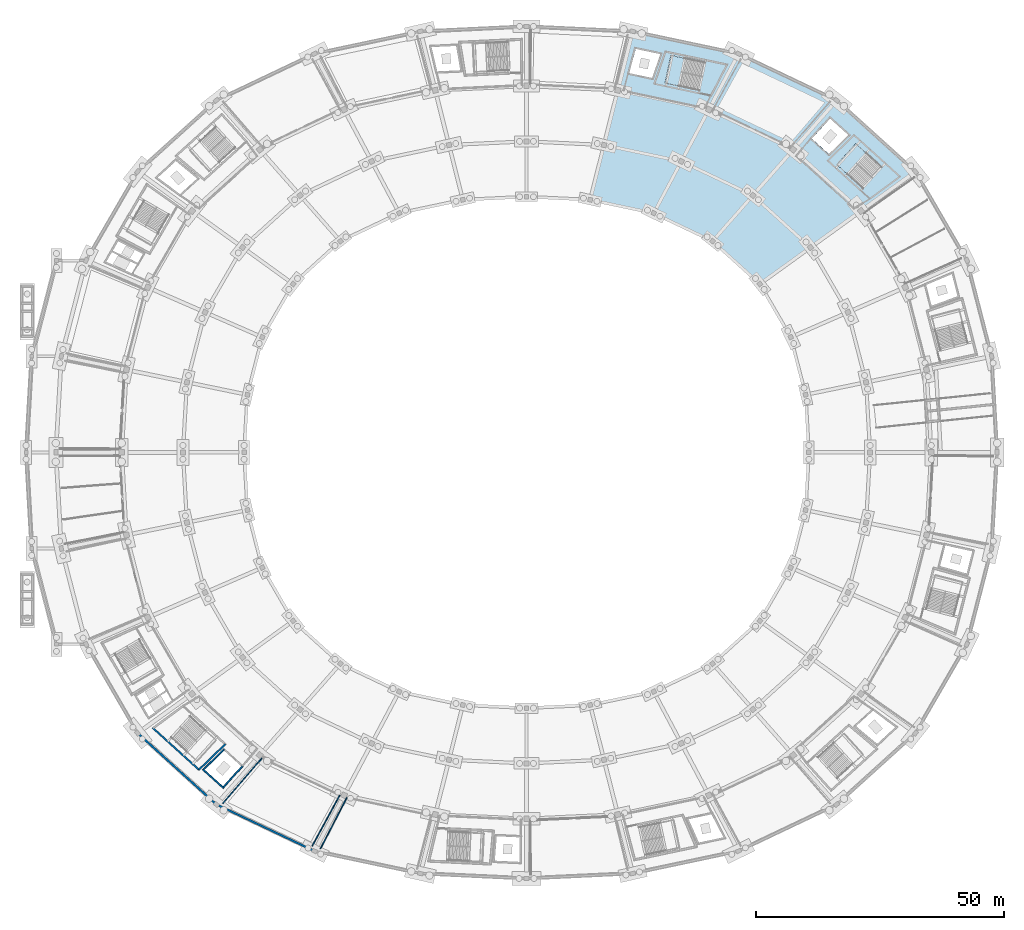
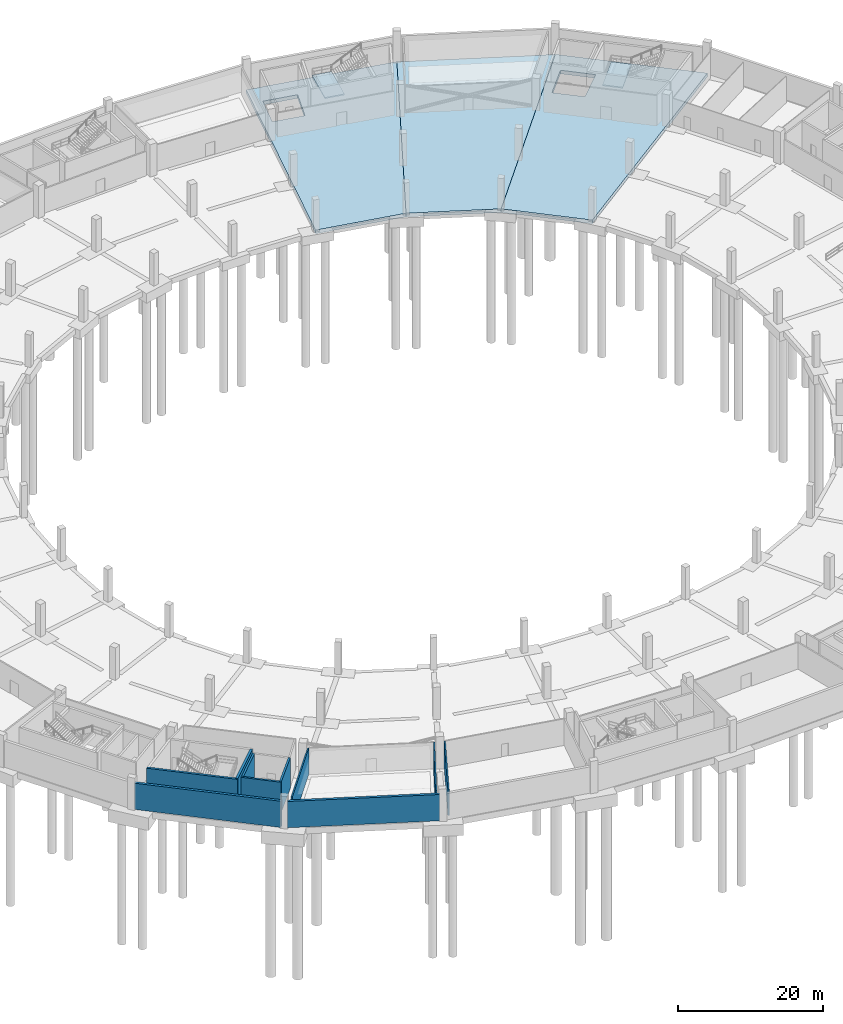
# One storey, part 9 of 49: 10 walls, 5 slabs, 2 elements without a shape of their own.
"""IFC4 building model written with IfcOpenShell, lengths in metres."""

from ifc_helpers import new_model, si_unit, direction, frame, frame_2d, origin, place, context, subcontext, project, spatial, polyline, rectangle, outline, extrude, material, layer, layer_set, type_object, element, aggregate, save


model = new_model("IFC4")

# Units and contexts
model_context = context("Model", 3, precision=1e-05, world=origin(), true_north=direction((0.0, 1.0)))
body_context = subcontext(model_context, "Body", "Model", "MODEL_VIEW")
ifc_project = project(units=[si_unit("LENGTHUNIT", "METRE"), si_unit("AREAUNIT", "SQUARE_METRE"), si_unit("VOLUMEUNIT", "CUBIC_METRE"), si_unit("PLANEANGLEUNIT", "RADIAN"), si_unit("MASSUNIT", "GRAM", prefix="KILO")], contexts=[model_context])

# Site, building, storey
site_placement = place(None, origin())
site = spatial("IfcSite", under=ifc_project, at=site_placement, CompositionType="ELEMENT")
building_placement = place(site_placement, origin())
building = spatial("IfcBuilding", under=site, at=building_placement, Name="Kazemori Nagisa Stadium", CompositionType="ELEMENT")
storey_placement = place(building_placement, frame((0.0, 0.0, -5.43994140625)))
storey = spatial("IfcBuildingStorey", under=building, at=storey_placement, Name="B1", CompositionType="ELEMENT", Elevation=-5.43994140625)

# Slabs
ifc_material_1 = material(Name="Concrete C36/45 (Fc36)", Category="concrete")
ifc_layer_1 = layer(ifc_material_1, 0.60009765625, Name="Concrete C36/45 (Fc36)", Category="concrete")
ifc_layer_set_1 = layer_set([ifc_layer_1], Name="Concrete C36/45 (Fc36)")
slab_type_1 = type_object("IfcSlabType", Name="Slab_SL-BASE-600", PredefinedType="BASESLAB", material=ifc_layer_set_1)
slab_1_placement = place(storey_placement, frame((0.0, 0.0, -0.60009765625)))
element("IfcSlab", 1, at=slab_1_placement, inside=storey, type_object=slab_type_1, Name="Basement base slab B1 bay 04", PredefinedType="BASESLAB", context=body_context, shape_type="SweptSolid", body=[
    extrude(outline(polyline([(170.09716796875, 136.00048828125), (160.558837890625, 144.635498046875), (185.597900390625, 173.05908203125), (201.495361328125, 158.667724609375), (170.09716796875, 136.00048828125)]), holes=[polyline([(184.043701171875, 162.204345703125), (180.594482421875, 165.32666015625), (184.289794921875, 169.3896484375), (187.960205078125, 166.06689453125), (184.043701171875, 162.204345703125)])]), origin(), (0.0, 0.0, 1.0), 0.60009765625),
])
slab_2_placement = place(storey_placement, frame((0.0, 0.0, -0.60009765625)))
element("IfcSlab", 2, at=slab_2_placement, inside=storey, type_object=slab_type_1, Name="Basement base slab B1 bay 05", PredefinedType="BASESLAB", context=body_context, shape_type="SweptSolid", body=[
    extrude(outline(polyline([(160.558837890625, 144.635498046875), (148.682861328125, 150.278564453125), (165.8046875, 182.46435546875), (185.597900390625, 173.05908203125), (160.558837890625, 144.635498046875)])), origin(), (0.0, 0.0, 1.0), 0.60009765625),
])
slab_3_placement = place(storey_placement, frame((0.0, 0.0, -0.60009765625)))
element("IfcSlab", 3, at=slab_3_placement, inside=storey, type_object=slab_type_1, Name="Basement base slab B1 bay 06", PredefinedType="BASESLAB", context=body_context, shape_type="SweptSolid", body=[
    extrude(outline(polyline([(148.682861328125, 150.278564453125), (135.856689453125, 152.9921875), (144.427734375, 186.98681640625), (165.8046875, 182.46435546875), (148.682861328125, 150.278564453125)]), holes=[polyline([(148.361328125, 177.560791015625), (143.723388671875, 178.5419921875), (145.052978515625, 183.452880859375), (149.988525390625, 182.40869140625), (148.361328125, 177.560791015625)])]), origin(), (0.0, 0.0, 1.0), 0.60009765625),
])

# Stair, slab
stair_type = type_object("IfcStairType", Name="Stair_CORE_32", PredefinedType="TWO_STRAIGHT_RUN_STAIR", material=ifc_material_1)
stair_1_placement = place(storey_placement, origin())
stair_1 = element("IfcStair", 4, at=stair_1_placement, inside=storey, type_object=stair_type, Name="Exit stair ST01 B1", PredefinedType="TWO_STRAIGHT_RUN_STAIR")
ifc_layer_2 = layer(ifc_material_1, 0.199951171875, Name="Concrete C36/45 (Fc36)", Category="concrete")
ifc_layer_set_2 = layer_set([ifc_layer_2], Name="Concrete C36/45 (Fc36)")
slab_type_2 = type_object("IfcSlabType", Name="Slab_SL-LND-200", PredefinedType="LANDING", material=ifc_layer_set_2)
slab_4_placement = place(storey_placement, frame((0.0, 0.0, 2.52001953125)))
slab_4 = element("IfcSlab", 5, at=slab_4_placement, type_object=slab_type_2, Name="Exit stair ST01 B1 mid-landing", PredefinedType="LANDING", context=body_context, shape_type="SweptSolid", body=[
    extrude(outline(polyline([(187.729248046875, 158.18310546875), (185.616455078125, 160.095947265625), (189.44189453125, 164.321533203125), (191.5546875, 162.408935546875), (187.729248046875, 158.18310546875)])), origin(), (0.0, 0.0, 1.0), 0.199951171875),
])
aggregate(stair_1, [slab_4])

stair_2_placement = place(storey_placement, origin())
stair_2 = element("IfcStair", 6, at=stair_2_placement, inside=storey, type_object=stair_type, Name="Exit stair ST11 B1", PredefinedType="TWO_STRAIGHT_RUN_STAIR")
slab_5_placement = place(storey_placement, frame((0.0, 0.0, 2.52001953125)))
slab_5 = element("IfcSlab", 7, at=slab_5_placement, type_object=slab_type_2, Name="Exit stair ST11 B1 mid-landing", PredefinedType="LANDING", context=body_context, shape_type="SweptSolid", body=[
    extrude(outline(polyline([(153.725830078125, 175.965087890625), (150.9375, 176.554931640625), (152.1171875, 182.131591796875), (154.905517578125, 181.541748046875), (153.725830078125, 175.965087890625)])), origin(), (0.0, 0.0, 1.0), 0.199951171875),
])
aggregate(stair_2, [slab_5])

# Walls
ifc_material_2 = material(Name="Concrete C40/50 (Fc42)", Category="concrete")
ifc_layer_3 = layer(ifc_material_2, 0.39990234375, Name="Concrete C40/50 (Fc42)", Category="concrete")
ifc_layer_set_3 = layer_set([ifc_layer_3], Name="Concrete C40/50 (Fc42)")
wall_type_1 = type_object("IfcWallType", Name="Wall_W-B1-RET-400", PredefinedType="SOLIDWALL", material=ifc_layer_set_3)
wall_1_placement = place(storey_placement, frame((44.793701171875, 45.070556640625, 0.0), z_axis=(0.0, 0.0, 1.0), x_axis=(0.741354093053, -0.671114080253, 0.0)))
element("IfcWall", 8, at=wall_1_placement, inside=storey, type_object=wall_type_1, Name="Basement perimeter retaining wall B1-18", PredefinedType="SOLIDWALL", context=body_context, shape_type="SweptSolid", body=[
    extrude(rectangle(XDim=20.66357421875, YDim=0.39990234375, at=frame_2d((10.331787109375, 0.0))), origin(), (0.0, 0.0, 1.0), 4.419921875),
])
wall_2_placement = place(storey_placement, frame((60.75439453125, 30.773681640625, 0.0), z_axis=(0.0, 0.0, 1.0), x_axis=(0.903214032263, -0.429190414528, 0.0)))
element("IfcWall", 9, at=wall_2_placement, inside=storey, type_object=wall_type_1, Name="Basement perimeter retaining wall B1-19", PredefinedType="SOLIDWALL", context=body_context, shape_type="SweptSolid", body=[
    extrude(rectangle(XDim=21.134033203125, YDim=0.39990234375, at=frame_2d((10.56689453125, 0.0))), origin(), (0.0, 0.0, 1.0), 4.419921875),
])
ifc_layer_4 = layer(ifc_material_2, 0.35009765625, Name="Concrete C40/50 (Fc42)", Category="concrete")
ifc_layer_set_4 = layer_set([ifc_layer_4], Name="Concrete C40/50 (Fc42)")
wall_type_2 = type_object("IfcWallType", Name="Wall_W-CORE-350", PredefinedType="SHEAR", material=ifc_layer_set_4)
wall_3_placement = place(storey_placement, frame((47.500732421875, 46.451904296875, 0.0), z_axis=(0.0, 0.0, 1.0), x_axis=(0.741351373721, -0.671117084183, 0.0)))
element("IfcWall", 10, at=wall_3_placement, inside=storey, type_object=wall_type_2, Name="Core stair rear shear wall ST03 B1", PredefinedType="SHEAR", context=body_context, shape_type="SweptSolid", body=[
    extrude(rectangle(XDim=12.830322265625, YDim=0.35009765625, at=frame_2d((6.4150390625, 0.0))), origin(), (0.0, 0.0, 1.0), 5.139892578125),
])
wall_4_placement = place(storey_placement, frame((62.199462890625, 43.1083984375, 0.0), z_axis=(0.0, 0.0, 1.0), x_axis=(-0.718297398554, -0.69573619083, 0.0)))
element("IfcWall", 11, at=wall_4_placement, inside=storey, type_object=wall_type_2, Name="Core stair right shear wall ST03 B1", PredefinedType="SHEAR", context=body_context, shape_type="SweptSolid", body=[
    extrude(rectangle(XDim=7.40185546875, YDim=0.35009765625, at=frame_2d((3.700927734375, 0.0))), origin(), (0.0, 0.0, 1.0), 5.139892578125),
])
ifc_material_3 = material(Name="Autoclaved aerated concrete blockwork", Category="masonry")
ifc_layer_5 = layer(ifc_material_3, 0.199951171875, Name="Autoclaved aerated concrete blockwork", Category="masonry")
ifc_layer_set_5 = layer_set([ifc_layer_5], Name="Autoclaved aerated concrete blockwork")
wall_type_3 = type_object("IfcWallType", Name="Wall_W-PART-200", PredefinedType="PARTITIONING", material=ifc_layer_set_5)
wall_5_placement = place(storey_placement, frame((69.599365234375, 40.280029296875, 0.0), z_axis=(0.0, 0.0, 1.0), x_axis=(-0.654293035882, -0.756241114458, 0.0)))
element("IfcWall", 12, at=wall_5_placement, inside=storey, type_object=wall_type_3, Name="Room radial partition B1-B19-L", PredefinedType="PARTITIONING", context=body_context, shape_type="SweptSolid", body=[
    extrude(rectangle(XDim=12.091064453125, YDim=0.199951171875, at=frame_2d((6.04541015625, 0.0))), origin(), (0.0, 0.0, 1.0), 4.4599609375),
])
wall_6_placement = place(storey_placement, frame((85.332763671875, 32.803955078125, 0.0), z_axis=(0.0, 0.0, 1.0), x_axis=(-0.478125060974, -0.878291765912, 0.0)))
element("IfcWall", 13, at=wall_6_placement, inside=storey, type_object=wall_type_3, Name="Room radial partition B1-B19-R", PredefinedType="PARTITIONING", context=body_context, shape_type="SweptSolid", body=[
    extrude(rectangle(XDim=11.671875, YDim=0.199951171875, at=frame_2d((5.8359375, 0.0))), origin(), (0.0, 0.0, 1.0), 4.4599609375),
])
wall_7_placement = place(storey_placement, frame((86.755615234375, 32.322509765625, 0.0), z_axis=(0.0, 0.0, 1.0), x_axis=(-0.46148287956, -0.88714911479, 0.0)))
element("IfcWall", 14, at=wall_7_placement, inside=storey, type_object=wall_type_3, Name="Room radial partition B1-B20-L", PredefinedType="PARTITIONING", context=body_context, shape_type="SweptSolid", body=[
    extrude(rectangle(XDim=11.635498046875, YDim=0.199951171875, at=frame_2d((5.81787109375, 0.0))), origin(), (0.0, 0.0, 1.0), 4.4599609375),
])
ifc_layer_6 = layer(ifc_material_2, 0.300048828125, Name="Concrete C40/50 (Fc42)", Category="concrete")
ifc_layer_set_6 = layer_set([ifc_layer_6], Name="Concrete C40/50 (Fc42)")
wall_type_4 = type_object("IfcWallType", Name="Wall_W-SHAFT-300", PredefinedType="SHEAR", material=ifc_layer_set_6)
wall_8_placement = place(storey_placement, frame((57.640380859375, 38.039306640625, 0.0), z_axis=(0.0, 0.0, 1.0), x_axis=(0.74134208775, -0.671127341815, 0.0)))
element("IfcWall", 15, at=wall_8_placement, inside=storey, type_object=wall_type_4, Name="Lift shaft B wall FL3 B1", PredefinedType="SHEAR", context=body_context, shape_type="SweptSolid", body=[
    extrude(rectangle(XDim=5.674560546875, YDim=0.300048828125, at=frame_2d((2.83740234375, 0.0))), origin(), (0.0, 0.0, 1.0), 5.139892578125),
])
wall_9_placement = place(storey_placement, frame((61.947998046875, 42.058837890625, 0.0), z_axis=(0.0, 0.0, 1.0), x_axis=(-0.713553028001, -0.700601224828, 0.0)))
element("IfcWall", 16, at=wall_9_placement, inside=storey, type_object=wall_type_4, Name="Lift shaft L wall FL3 B1", PredefinedType="SHEAR", context=body_context, shape_type="SweptSolid", body=[
    extrude(rectangle(XDim=5.881103515625, YDim=0.300048828125, at=frame_2d((2.9404296875, 0.0))), origin(), (0.0, 0.0, 1.0), 5.139892578125),
])
wall_10_placement = place(storey_placement, frame((65.67626953125, 38.68359375, 0.0), z_axis=(0.0, 0.0, 1.0), x_axis=(-0.67115829282, -0.741314067031, 0.0)))
element("IfcWall", 17, at=wall_10_placement, inside=storey, type_object=wall_type_4, Name="Lift shaft R wall FL3 B1", PredefinedType="SHEAR", context=body_context, shape_type="SweptSolid", body=[
    extrude(rectangle(XDim=5.87060546875, YDim=0.300048828125, at=frame_2d((2.935302734375, 0.0))), origin(), (0.0, 0.0, 1.0), 5.139892578125),
])

save(model, "model.ifc")
